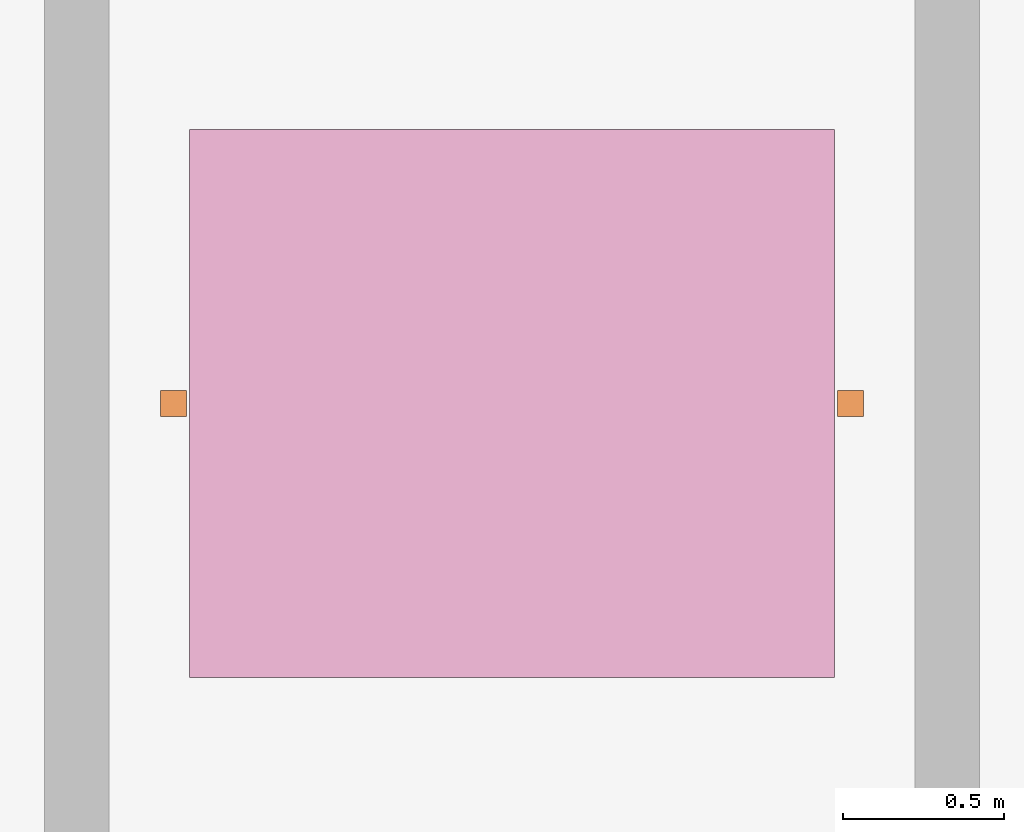
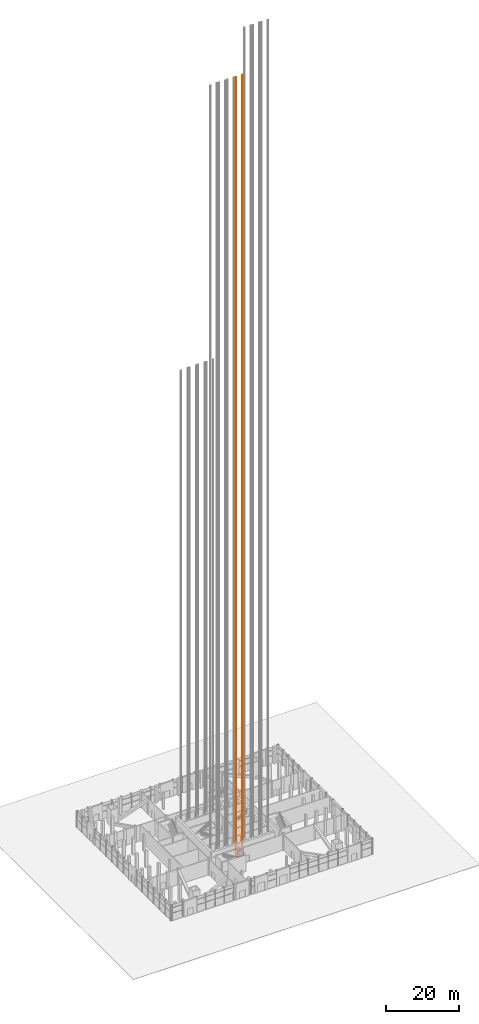
# One storey, part 20 of 27: 2 proxies, 1 transport element.
"""IFC4 building model written with IfcOpenShell, lengths in metres."""

from ifc_helpers import new_model, si_unit, direction, frame, origin, origin_2d, place, context, subcontext, project, spatial, rectangle, extrude, material, type_object, element, aggregate, save


model = new_model("IFC4")

# Units and contexts
model_context = context("Model", 3, precision=1e-05, world=origin(), true_north=direction((0.0, 1.0)))
body_context = subcontext(model_context, "Body", "Model", "MODEL_VIEW")
ifc_project = project(units=[si_unit("LENGTHUNIT", "METRE"), si_unit("AREAUNIT", "SQUARE_METRE"), si_unit("VOLUMEUNIT", "CUBIC_METRE"), si_unit("PLANEANGLEUNIT", "RADIAN"), si_unit("MASSUNIT", "GRAM", prefix="KILO")], contexts=[model_context])

# Site, building, storey
site_placement = place(None, origin())
site = spatial("IfcSite", under=ifc_project, at=site_placement, CompositionType="ELEMENT")
building_placement = place(site_placement, origin())
building = spatial("IfcBuilding", under=site, at=building_placement, Name="Turquesa Mirador Hotel Tower", CompositionType="ELEMENT")
storey_placement = place(building_placement, origin())
storey = spatial("IfcBuildingStorey", under=building, at=storey_placement, Name="L00", CompositionType="ELEMENT", Elevation=0.0)

# Transport element, proxies
ifc_material_1 = material(Name="Stainless steel lift car", Category="steel")
transport_element_type = type_object("IfcTransportElementType", Name="PASSENGER LIFT 1600 KG", PredefinedType="ELEVATOR", material=ifc_material_1)
transport_element_placement = place(storey_placement, frame((54.949951171875, 36.949951171875, 0.0), z_axis=(0.0, 0.0, 1.0), x_axis=(1.0, 0.0, 0.0)))
transport_element = element("IfcTransportElement", 1, at=transport_element_placement, inside=storey, type_object=transport_element_type, Name="Lift B4", PredefinedType="ELEVATOR", context=body_context, shape_type="SweptSolid", body=[
    extrude(rectangle(XDim=2.0, YDim=1.699951171875, at=origin_2d()), origin(), (0.0, 0.0, 1.0), 2.39990234375),
])
ifc_material_2 = material(Name="Steel ASTM A992 Grade 50", Category="steel")
building_element_proxy_type = type_object("IfcBuildingElementProxyType", Name="LIFT GUIDE RAIL 80X80", PredefinedType="USERDEFINED", material=ifc_material_2)
proxy_1_placement = place(storey_placement, frame((53.89990234375, 36.949951171875, 0.0), z_axis=(0.0, 0.0, 1.0), x_axis=(1.0, 0.0, 0.0)))
proxy_1 = element("IfcBuildingElementProxy", 2, at=proxy_1_placement, type_object=building_element_proxy_type, Name="Lift B4 guide rail 1", ObjectType="LIFT GUIDE RAIL", PredefinedType="USERDEFINED", context=body_context, shape_type="SweptSolid", body=[
    extrude(rectangle(XDim=0.080078125, YDim=0.080078125, at=origin_2d()), origin(), (0.0, 0.0, 1.0), 261.5),
])
proxy_2_placement = place(storey_placement, frame((56.0, 36.949951171875, 0.0), z_axis=(0.0, 0.0, 1.0), x_axis=(1.0, 0.0, 0.0)))
proxy_2 = element("IfcBuildingElementProxy", 3, at=proxy_2_placement, type_object=building_element_proxy_type, Name="Lift B4 guide rail 2", ObjectType="LIFT GUIDE RAIL", PredefinedType="USERDEFINED", context=body_context, shape_type="SweptSolid", body=[
    extrude(rectangle(XDim=0.080078125, YDim=0.080078125, at=origin_2d()), origin(), (0.0, 0.0, 1.0), 261.5),
])
aggregate(transport_element, [proxy_1, proxy_2])

save(model, "model.ifc")
